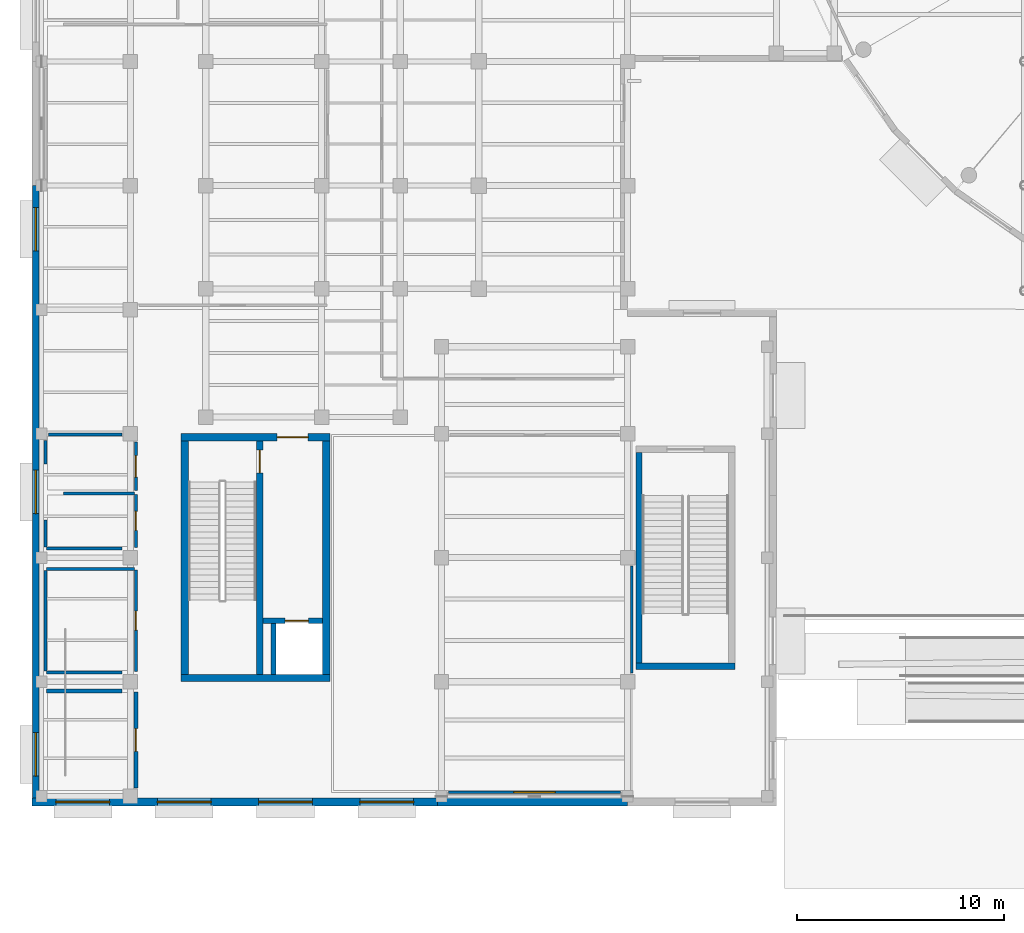
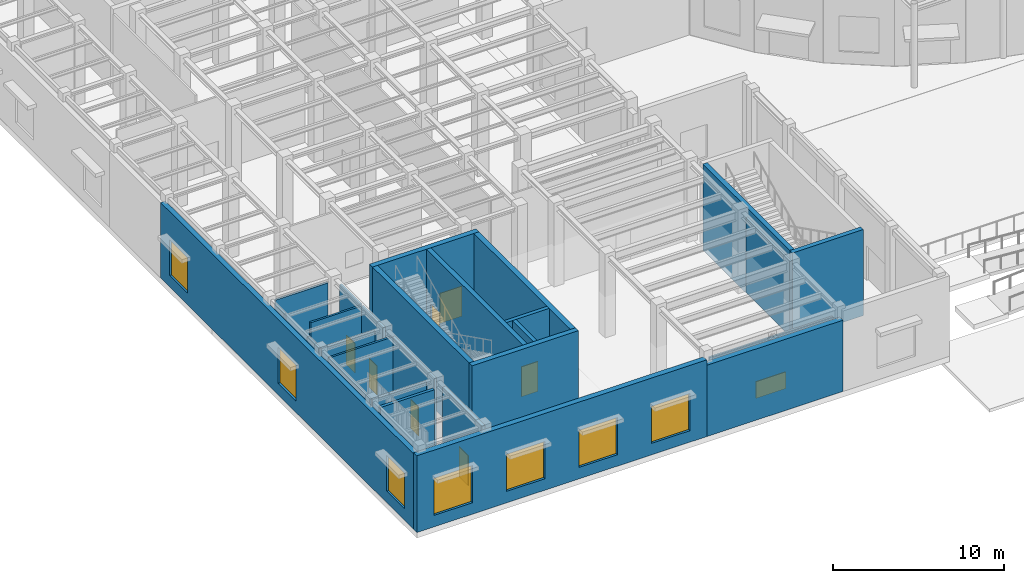
# One storey, part 86 of 118: 27 walls, 8 windows, 7 doors, 15 openings.
"""IFC4 building model written with IfcOpenShell, lengths in metres."""

from ifc_helpers import new_model, si_unit, direction, frame, frame_2d, origin, place, context, subcontext, project, spatial, rectangle, extrude, material, layer, layer_set, type_object, element, fill, save


model = new_model("IFC4")

# Units and contexts
model_context = context("Model", 3, precision=1e-05, world=origin(), true_north=direction((0.0, 1.0)))
body_context = subcontext(model_context, "Body", "Model", "MODEL_VIEW")
ifc_project = project(units=[si_unit("LENGTHUNIT", "METRE"), si_unit("AREAUNIT", "SQUARE_METRE"), si_unit("VOLUMEUNIT", "CUBIC_METRE"), si_unit("PLANEANGLEUNIT", "RADIAN"), si_unit("MASSUNIT", "GRAM", prefix="KILO")], contexts=[model_context])

# Site, building, storey
site_placement = place(None, origin())
site = spatial("IfcSite", under=ifc_project, at=site_placement, CompositionType="ELEMENT")
building_placement = place(site_placement, origin())
building = spatial("IfcBuilding", under=site, at=building_placement, Name="Kolvaren Corner Interchange", CompositionType="ELEMENT")
storey_placement = place(building_placement, origin())
storey = spatial("IfcBuildingStorey", under=building, at=storey_placement, Name="L01", CompositionType="ELEMENT", Elevation=0.0)

# Wall
ifc_material_1 = material(Name="Concrete C35/45", Category="concrete")
ifc_layer_1 = layer(ifc_material_1, 0.35009765625)
ifc_layer_set_1 = layer_set([ifc_layer_1], Name="Concrete C35/45")
wall_type_1 = type_object("IfcWallType", Name="WL-CORE-350", PredefinedType="SHEAR", material=ifc_layer_set_1)
wall_1_placement = place(storey_placement, frame((7.199951171875, 6.175048828125, 0.0), z_axis=(0.0, 0.0, 1.0), x_axis=(1.0, 0.0, 0.0)))
element("IfcWall", 1, at=wall_1_placement, inside=storey, type_object=wall_type_1, Name="Core C1 L01 South Shear Wall", PredefinedType="SHEAR", context=body_context, shape_type="SweptSolid", body=[
    extrude(rectangle(XDim=7.199951171875, YDim=0.35009765625, at=frame_2d((3.60009765625, 0.0))), origin(), (0.0, 0.0, 1.0), 5.75),
])

# Wall, opening, door
wall_2_placement = place(storey_placement, frame((7.199951171875, 17.824951171875, 0.0), z_axis=(0.0, 0.0, 1.0), x_axis=(1.0, 0.0, 0.0)))
wall_2 = element("IfcWall", 2, at=wall_2_placement, inside=storey, type_object=wall_type_1, Name="Core C1 L01 North Shear Wall", PredefinedType="SHEAR", context=body_context, shape_type="SweptSolid", body=[
    extrude(rectangle(XDim=7.199951171875, YDim=0.35009765625, at=frame_2d((3.60009765625, 0.0))), origin(), (0.0, 0.0, 1.0), 5.75),
])
opening_1_placement = place(wall_2_placement, frame((4.64990234375, 0.0, 0.0)))
opening_1 = element("IfcOpeningElement", 3, at=opening_1_placement, cuts=wall_2, Name="Opening D-F02", PredefinedType="OPENING", context=body_context, shape_type="SweptSolid", body=[
    extrude(rectangle(XDim=1.5, YDim=2.14990234375, at=frame_2d((0.75, 1.074951171875))), frame((0.0, 0.18505859375, 0.0), z_axis=(0.0, -1.0, 0.0), x_axis=(1.0, 0.0, 0.0)), (0.0, 0.0, 1.0), 0.3701171875),
])
ifc_material_2 = material(Name="Powder-coated Fire-rated Steel Sheet", Category="steel")
door_type_1 = type_object("IfcDoorType", Name="DT-FD-1500x2150", OperationType="NOTDEFINED", PredefinedType="DOOR", material=ifc_material_2)
door_1_placement = place(opening_1_placement, origin())
door_1 = element("IfcDoor", 4, at=door_1_placement, inside=storey, type_object=door_type_1, Name="Core C1 L01 Firefighting Lobby Corridor Exit Door", OperationType="DOUBLE_DOOR_SINGLE_SWING", OverallHeight=2.14990234375, OverallWidth=1.5, PredefinedType="DOOR", context=body_context, shape_type="SweptSolid", body=[
    extrude(rectangle(XDim=1.5, YDim=2.14990234375, at=frame_2d((0.75, 1.074951171875))), frame((0.0, 0.02490234375, 0.0), z_axis=(0.0, -1.0, 0.0), x_axis=(1.0, 0.0, 0.0)), (0.0, 0.0, 1.0), 0.050048828125),
])
fill(opening_1, door_1)

# Walls
for number, where, z_axis, x_axis, name in (
    (5, (7.375, 6.35009765625, 0.0), (0.0, 0.0, 1.0), (0.0, 1.0, 0.0), "Core C1 L01 West Shear Wall"),
    (6, (14.22509765625, 6.35009765625, 0.0), (0.0, 0.0, 1.0), (0.0, 1.0, 0.0), "Core C1 L01 East Shear Wall"),
):
    element("IfcWall", number, at=place(storey_placement, frame(where, z_axis=z_axis, x_axis=x_axis)), inside=storey, type_object=wall_type_1, Name=name, PredefinedType="SHEAR", context=body_context, shape_type="SweptSolid", body=[
        extrude(rectangle(XDim=11.2998046875, YDim=0.35009765625, at=frame_2d((5.64990234375, 0.0))), origin(), (0.0, 0.0, 1.0), 5.75),
    ])

# Wall, opening, door
ifc_material_3 = material(Name="Concrete C35/45", Category="concrete")
ifc_layer_2 = layer(ifc_material_3, 0.31005859375)
ifc_layer_set_2 = layer_set([ifc_layer_2], Name="Concrete C35/45")
wall_type_2 = type_object("IfcWallType", Name="WL-STAIR-300", PredefinedType="SHEAR", material=ifc_layer_set_2)
wall_3_placement = place(storey_placement, frame((11.0, 6.35009765625, 0.0), z_axis=(0.0, 0.0, 1.0), x_axis=(0.0, 1.0, 0.0)))
wall_3 = element("IfcWall", 7, at=wall_3_placement, inside=storey, type_object=wall_type_2, Name="Core C1 L01 Firefighting Stairwell Divider Wall", PredefinedType="SHEAR", context=body_context, shape_type="SweptSolid", body=[
    extrude(rectangle(XDim=11.2998046875, YDim=0.31005859375, at=frame_2d((5.64990234375, 0.0))), origin(), (0.0, 0.0, 1.0), 5.75),
])
opening_2_placement = place(wall_3_placement, frame((9.75, 0.0, 0.0)))
opening_2 = element("IfcOpeningElement", 8, at=opening_2_placement, cuts=wall_3, Name="Opening D-F03", PredefinedType="OPENING", context=body_context, shape_type="SweptSolid", body=[
    extrude(rectangle(XDim=1.10009765625, YDim=2.14990234375, at=frame_2d((0.550048828125, 1.074951171875))), frame((0.0, 0.1650390625, 0.0), z_axis=(0.0, -1.0, 0.0), x_axis=(1.0, 0.0, 0.0)), (0.0, 0.0, 1.0), 0.330078125),
])
ifc_material_4 = material(Name="Powder-coated Fire-rated Steel Sheet", Category="steel")
door_type_2 = type_object("IfcDoorType", Name="DT-FD-1100x2150", OperationType="NOTDEFINED", PredefinedType="DOOR", material=ifc_material_4)
door_2_placement = place(opening_2_placement, origin())
door_2 = element("IfcDoor", 9, at=door_2_placement, inside=storey, type_object=door_type_2, Name="Core C1 Southwest Firefighting Stair L01 Protected Exit Door", OperationType="SINGLE_SWING_LEFT", OverallHeight=2.14990234375, OverallWidth=1.10009765625, PredefinedType="DOOR", context=body_context, shape_type="SweptSolid", body=[
    extrude(rectangle(XDim=1.10009765625, YDim=2.14990234375, at=frame_2d((0.550048828125, 1.074951171875))), frame((0.0, 0.02490234375, 0.0), z_axis=(0.0, -1.0, 0.0), x_axis=(1.0, 0.0, 0.0)), (0.0, 0.0, 1.0), 0.050048828125),
])
fill(opening_2, door_2)

# Walls
wall_4_placement = place(storey_placement, frame((29.199951171875, 6.7548828125, -0.39990234375), z_axis=(0.0, 0.0, 1.0), x_axis=(1.0, 0.0, 0.0)))
element("IfcWall", 10, at=wall_4_placement, inside=storey, type_object=wall_type_2, Name="Operations South Bar Protected Exit Stair L01 South Enclosure Wall", PredefinedType="SHEAR", context=body_context, shape_type="SweptSolid", body=[
    extrude(rectangle(XDim=4.800048828125, YDim=0.31005859375, at=frame_2d((2.39990234375, 0.0))), origin(), (0.0, 0.0, 1.0), 6.14990234375),
])
wall_5_placement = place(storey_placement, frame((29.35498046875, 6.909912109375, -0.39990234375), z_axis=(0.0, 0.0, 1.0), x_axis=(0.0, 1.0, 0.0)))
element("IfcWall", 11, at=wall_5_placement, inside=storey, type_object=wall_type_2, Name="Operations South Bar Protected Exit Stair L01 West Enclosure Wall", PredefinedType="SHEAR", context=body_context, shape_type="SweptSolid", body=[
    extrude(rectangle(XDim=10.18017578125, YDim=0.31005859375, at=frame_2d((5.090087890625, 0.0))), origin(), (0.0, 0.0, 1.0), 6.14990234375),
])

# Wall, openings, windows
ifc_material_5 = material(Name="Heavy Acoustic Terracotta Masonry Facade Assembly", Category="masonry")
ifc_layer_3 = layer(ifc_material_5, 0.3701171875)
ifc_layer_set_3 = layer_set([ifc_layer_3], Name="Heavy Acoustic Terracotta Masonry Facade Assembly")
wall_type_3 = type_object("IfcWallType", Name="WT-EXT-CRM340", PredefinedType="SOLIDWALL", material=ifc_layer_set_3)
wall_6_placement = place(storey_placement, frame((0.0, 0.179931640625, 0.0), z_axis=(0.0, 0.0, 1.0), x_axis=(1.0, 0.0, 0.0)))
wall_6 = element("IfcWall", 12, at=wall_6_placement, inside=storey, type_object=wall_type_3, Name="Operations Boulevard South Facade Wall 0001", PredefinedType="SOLIDWALL", context=body_context, shape_type="SweptSolid", body=[
    extrude(rectangle(XDim=19.60009765625, YDim=0.3701171875, at=frame_2d((9.800048828125, 0.0))), origin(), (0.0, 0.0, 1.0), 5.485107421875),
])
opening_3_placement = place(wall_6_placement, frame((1.14990234375, 0.0, 0.820068359375)))
opening_3 = element("IfcOpeningElement", 13, at=opening_3_placement, cuts=wall_6, Name="Opening W-12", PredefinedType="OPENING", context=body_context, shape_type="SweptSolid", body=[
    extrude(rectangle(XDim=2.60009765625, YDim=2.64990234375, at=frame_2d((1.300048828125, 1.324951171875))), frame((0.0, 0.195068359375, 0.0), z_axis=(0.0, -1.0, 0.0), x_axis=(1.0, 0.0, 0.0)), (0.0, 0.0, 1.0), 0.39013671875),
])
opening_4_placement = place(wall_6_placement, frame((6.050048828125, 0.0, 0.820068359375)))
opening_4 = element("IfcOpeningElement", 14, at=opening_4_placement, cuts=wall_6, Name="Opening W-12", PredefinedType="OPENING", context=body_context, shape_type="SweptSolid", body=[
    extrude(rectangle(XDim=2.60009765625, YDim=2.64990234375, at=frame_2d((1.300048828125, 1.324951171875))), frame((0.0, 0.195068359375, 0.0), z_axis=(0.0, -1.0, 0.0), x_axis=(1.0, 0.0, 0.0)), (0.0, 0.0, 1.0), 0.39013671875),
])
opening_5_placement = place(wall_6_placement, frame((10.949951171875, 0.0, 0.820068359375)))
opening_5 = element("IfcOpeningElement", 15, at=opening_5_placement, cuts=wall_6, Name="Opening W-12", PredefinedType="OPENING", context=body_context, shape_type="SweptSolid", body=[
    extrude(rectangle(XDim=2.60009765625, YDim=2.64990234375, at=frame_2d((1.300048828125, 1.324951171875))), frame((0.0, 0.195068359375, 0.0), z_axis=(0.0, -1.0, 0.0), x_axis=(1.0, 0.0, 0.0)), (0.0, 0.0, 1.0), 0.39013671875),
])
opening_6_placement = place(wall_6_placement, frame((15.85009765625, 0.0, 0.820068359375)))
opening_6 = element("IfcOpeningElement", 16, at=opening_6_placement, cuts=wall_6, Name="Opening W-12", PredefinedType="OPENING", context=body_context, shape_type="SweptSolid", body=[
    extrude(rectangle(XDim=2.60009765625, YDim=2.64990234375, at=frame_2d((1.300048828125, 1.324951171875))), frame((0.0, 0.195068359375, 0.0), z_axis=(0.0, -1.0, 0.0), x_axis=(1.0, 0.0, 0.0)), (0.0, 0.0, 1.0), 0.39013671875),
])
ifc_material_6 = material(Name="Thermally Broken Aluminium and Solar-Control Double Glazing", Category="aluminium")
window_type_1 = type_object("IfcWindowType", Name="WT-CHI-2600x2700", PartitioningType="TRIPLE_PANEL_HORIZONTAL", PredefinedType="WINDOW", material=ifc_material_6)
window_1_placement = place(opening_3_placement, origin())
window_1 = element("IfcWindow", 17, at=window_1_placement, inside=storey, type_object=window_type_1, Name="L01 Operations Boulevard South Facade Window 0001", OverallHeight=2.64990234375, OverallWidth=2.60009765625, PartitioningType="SINGLE_PANEL", PredefinedType="WINDOW", context=body_context, shape_type="SweptSolid", body=[
    extrude(rectangle(XDim=2.60009765625, YDim=2.64990234375, at=frame_2d((1.300048828125, 1.324951171875))), frame((0.0, 0.030029296875, 0.0), z_axis=(0.0, -1.0, 0.0), x_axis=(1.0, 0.0, 0.0)), (0.0, 0.0, 1.0), 0.06005859375),
])
fill(opening_3, window_1)
window_2_placement = place(opening_4_placement, origin())
window_2 = element("IfcWindow", 18, at=window_2_placement, inside=storey, type_object=window_type_1, Name="L01 Operations Boulevard South Facade Window 0002", OverallHeight=2.64990234375, OverallWidth=2.60009765625, PartitioningType="SINGLE_PANEL", PredefinedType="WINDOW", context=body_context, shape_type="SweptSolid", body=[
    extrude(rectangle(XDim=2.60009765625, YDim=2.64990234375, at=frame_2d((1.300048828125, 1.324951171875))), frame((0.0, 0.030029296875, 0.0), z_axis=(0.0, -1.0, 0.0), x_axis=(1.0, 0.0, 0.0)), (0.0, 0.0, 1.0), 0.06005859375),
])
fill(opening_4, window_2)
window_3_placement = place(opening_5_placement, origin())
window_3 = element("IfcWindow", 19, at=window_3_placement, inside=storey, type_object=window_type_1, Name="L01 Operations Boulevard South Facade Window 0003", OverallHeight=2.64990234375, OverallWidth=2.60009765625, PartitioningType="SINGLE_PANEL", PredefinedType="WINDOW", context=body_context, shape_type="SweptSolid", body=[
    extrude(rectangle(XDim=2.60009765625, YDim=2.64990234375, at=frame_2d((1.300048828125, 1.324951171875))), frame((0.0, 0.030029296875, 0.0), z_axis=(0.0, -1.0, 0.0), x_axis=(1.0, 0.0, 0.0)), (0.0, 0.0, 1.0), 0.06005859375),
])
fill(opening_5, window_3)
window_4_placement = place(opening_6_placement, origin())
window_4 = element("IfcWindow", 20, at=window_4_placement, inside=storey, type_object=window_type_1, Name="L01 Operations Boulevard South Facade Window 0004", OverallHeight=2.64990234375, OverallWidth=2.60009765625, PartitioningType="SINGLE_PANEL", PredefinedType="WINDOW", context=body_context, shape_type="SweptSolid", body=[
    extrude(rectangle(XDim=2.60009765625, YDim=2.64990234375, at=frame_2d((1.300048828125, 1.324951171875))), frame((0.0, 0.030029296875, 0.0), z_axis=(0.0, -1.0, 0.0), x_axis=(1.0, 0.0, 0.0)), (0.0, 0.0, 1.0), 0.06005859375),
])
fill(opening_6, window_4)

# Wall
wall_7_placement = place(storey_placement, frame((19.60009765625, 0.179931640625, 0.0), z_axis=(0.0, 0.0, 1.0), x_axis=(1.0, 0.0, 0.0)))
element("IfcWall", 21, at=wall_7_placement, inside=storey, type_object=wall_type_3, Name="Operations Boulevard South Facade Wall 0002", PredefinedType="SOLIDWALL", context=body_context, shape_type="SweptSolid", body=[
    extrude(rectangle(XDim=9.199951171875, YDim=0.3701171875, at=frame_2d((4.60009765625, 0.0))), origin(), (0.0, 0.0, 1.0), 5.094970703125),
])

# Wall, openings, windows
ifc_material_7 = material(Name="Cream Architectural Terracotta Rainscreen Assembly", Category="masonry")
ifc_layer_4 = layer(ifc_material_7, 0.330078125)
ifc_layer_set_4 = layer_set([ifc_layer_4], Name="Cream Architectural Terracotta Rainscreen Assembly")
wall_type_4 = type_object("IfcWallType", Name="WT-EXT-TC320", PredefinedType="SOLIDWALL", material=ifc_layer_set_4)
wall_8_placement = place(storey_placement, frame((0.169921875, 30.0, 0.0), z_axis=(0.0, 0.0, 1.0), x_axis=(0.0, -1.0, 0.0)))
wall_8 = element("IfcWall", 22, at=wall_8_placement, inside=storey, type_object=wall_type_4, Name="Operations Trelmava Street West Facade Wall 0012", PredefinedType="SOLIDWALL", context=body_context, shape_type="SweptSolid", body=[
    extrude(rectangle(XDim=29.635009765625, YDim=0.330078125, at=frame_2d((14.8173828125, 0.0))), origin(), (0.0, 0.0, 1.0), 5.385009765625),
])
opening_7_placement = place(wall_8_placement, frame((1.06689453125, 0.0, 0.820068359375)))
opening_7 = element("IfcOpeningElement", 23, at=opening_7_placement, cuts=wall_8, Name="Opening W-02", PredefinedType="OPENING", context=body_context, shape_type="SweptSolid", body=[
    extrude(rectangle(XDim=2.10009765625, YDim=2.550048828125, at=frame_2d((1.050048828125, 1.27490234375))), frame((0.0, 0.175048828125, 0.0), z_axis=(0.0, -1.0, 0.0), x_axis=(1.0, 0.0, 0.0)), (0.0, 0.0, 1.0), 0.35009765625),
])
opening_8_placement = place(wall_8_placement, frame((13.767578125, 0.0, 0.820068359375)))
opening_8 = element("IfcOpeningElement", 24, at=opening_8_placement, cuts=wall_8, Name="Opening W-02", PredefinedType="OPENING", context=body_context, shape_type="SweptSolid", body=[
    extrude(rectangle(XDim=2.10009765625, YDim=2.550048828125, at=frame_2d((1.050048828125, 1.27490234375))), frame((0.0, 0.175048828125, 0.0), z_axis=(0.0, -1.0, 0.0), x_axis=(1.0, 0.0, 0.0)), (0.0, 0.0, 1.0), 0.35009765625),
])
opening_9_placement = place(wall_8_placement, frame((26.46826171875, 0.0, 0.820068359375)))
opening_9 = element("IfcOpeningElement", 25, at=opening_9_placement, cuts=wall_8, Name="Opening W-02", PredefinedType="OPENING", context=body_context, shape_type="SweptSolid", body=[
    extrude(rectangle(XDim=2.10009765625, YDim=2.550048828125, at=frame_2d((1.050048828125, 1.27490234375))), frame((0.0, 0.175048828125, 0.0), z_axis=(0.0, -1.0, 0.0), x_axis=(1.0, 0.0, 0.0)), (0.0, 0.0, 1.0), 0.35009765625),
])
ifc_material_8 = material(Name="Thermally Broken Aluminium and Solar-Control Double Glazing", Category="aluminium")
window_type_2 = type_object("IfcWindowType", Name="WT-CHI-2100x2600", PartitioningType="TRIPLE_PANEL_HORIZONTAL", PredefinedType="WINDOW", material=ifc_material_8)
window_5_placement = place(opening_7_placement, origin())
window_5 = element("IfcWindow", 26, at=window_5_placement, inside=storey, type_object=window_type_2, Name="L01 Operations Trelmava Street West Facade Window 0025", OverallHeight=2.550048828125, OverallWidth=2.10009765625, PartitioningType="SINGLE_PANEL", PredefinedType="WINDOW", context=body_context, shape_type="SweptSolid", body=[
    extrude(rectangle(XDim=2.10009765625, YDim=2.550048828125, at=frame_2d((1.050048828125, 1.27490234375))), frame((0.0, 0.030029296875, 0.0), z_axis=(0.0, -1.0, 0.0), x_axis=(1.0, 0.0, 0.0)), (0.0, 0.0, 1.0), 0.06005859375),
])
fill(opening_7, window_5)
window_6_placement = place(opening_8_placement, origin())
window_6 = element("IfcWindow", 27, at=window_6_placement, inside=storey, type_object=window_type_2, Name="L01 Operations Trelmava Street West Facade Window 0026", OverallHeight=2.550048828125, OverallWidth=2.10009765625, PartitioningType="SINGLE_PANEL", PredefinedType="WINDOW", context=body_context, shape_type="SweptSolid", body=[
    extrude(rectangle(XDim=2.10009765625, YDim=2.550048828125, at=frame_2d((1.050048828125, 1.27490234375))), frame((0.0, 0.030029296875, 0.0), z_axis=(0.0, -1.0, 0.0), x_axis=(1.0, 0.0, 0.0)), (0.0, 0.0, 1.0), 0.06005859375),
])
fill(opening_8, window_6)
window_7_placement = place(opening_9_placement, origin())
window_7 = element("IfcWindow", 28, at=window_7_placement, inside=storey, type_object=window_type_2, Name="L01 Operations Trelmava Street West Facade Window 0027", OverallHeight=2.550048828125, OverallWidth=2.10009765625, PartitioningType="SINGLE_PANEL", PredefinedType="WINDOW", context=body_context, shape_type="SweptSolid", body=[
    extrude(rectangle(XDim=2.10009765625, YDim=2.550048828125, at=frame_2d((1.050048828125, 1.27490234375))), frame((0.0, 0.030029296875, 0.0), z_axis=(0.0, -1.0, 0.0), x_axis=(1.0, 0.0, 0.0)), (0.0, 0.0, 1.0), 0.06005859375),
])
fill(opening_9, window_7)

# Wall, opening, door
ifc_material_9 = material(Name="Fire-Rated Gypsum Block Partition")
ifc_layer_5 = layer(ifc_material_9, 0.199951171875)
ifc_layer_set_5 = layer_set([ifc_layer_5], Name="Fire-Rated Gypsum Block Partition")
wall_type_5 = type_object("IfcWallType", Name="WT-PART-FR200", PredefinedType="PARTITIONING", material=ifc_layer_set_5)
wall_9_placement = place(storey_placement, frame((5.02001953125, 0.860107421875, 0.0), z_axis=(0.0, 0.0, 1.0), x_axis=(0.0, 1.0, 0.0)))
wall_9 = element("IfcWall", 29, at=wall_9_placement, inside=storey, type_object=wall_type_5, Name="L01 Fire Command Centre Partition Wall 069", PredefinedType="PARTITIONING", context=body_context, shape_type="SweptSolid", body=[
    extrude(rectangle(XDim=4.639892578125, YDim=0.199951171875, at=frame_2d((2.31982421875, 0.0))), origin(), (0.0, 0.0, 1.0), 5.344970703125),
])
opening_10_placement = place(wall_9_placement, frame((1.77001953125, 0.0, 0.0)))
opening_10 = element("IfcOpeningElement", 30, at=opening_10_placement, cuts=wall_9, Name="Opening D-F03", PredefinedType="OPENING", context=body_context, shape_type="SweptSolid", body=[
    extrude(rectangle(XDim=1.10009765625, YDim=2.14990234375, at=frame_2d((0.550048828125, 1.074951171875))), frame((0.0, 0.10986328125, 0.0), z_axis=(0.0, -1.0, 0.0), x_axis=(1.0, 0.0, 0.0)), (0.0, 0.0, 1.0), 0.219970703125),
])
door_3_placement = place(opening_10_placement, origin())
door_3 = element("IfcDoor", 31, at=door_3_placement, inside=storey, type_object=door_type_2, Name="L01 Fire Command Centre Door", OperationType="SINGLE_SWING_RIGHT", OverallHeight=2.14990234375, OverallWidth=1.10009765625, PredefinedType="DOOR", context=body_context, shape_type="SweptSolid", body=[
    extrude(rectangle(XDim=1.10009765625, YDim=2.14990234375, at=frame_2d((0.550048828125, 1.074951171875))), frame((0.0, 0.02490234375, 0.0), z_axis=(0.0, -1.0, 0.0), x_axis=(1.0, 0.0, 0.0)), (0.0, 0.0, 1.0), 0.050048828125),
])
fill(opening_10, door_3)

# Wall
wall_10_placement = place(storey_placement, frame((4.340087890625, 5.550048828125, 0.0), z_axis=(0.0, 0.0, 1.0), x_axis=(-1.0, 0.0, 0.0)))
element("IfcWall", 32, at=wall_10_placement, inside=storey, type_object=wall_type_5, Name="L01 Fire Command Centre Partition Wall 070", PredefinedType="PARTITIONING", context=body_context, shape_type="SweptSolid", body=[
    extrude(rectangle(XDim=3.64013671875, YDim=0.199951171875, at=frame_2d((1.820068359375, 0.0))), origin(), (0.0, 0.0, 1.0), 5.385009765625),
])

# Wall, opening, window
ifc_material_10 = material(Name="Standard Metal-Stud Drywall Partition")
ifc_layer_6 = layer(ifc_material_10, 0.1201171875)
ifc_layer_set_6 = layer_set([ifc_layer_6], Name="Standard Metal-Stud Drywall Partition")
wall_type_6 = type_object("IfcWallType", Name="WT-PART-ST125", PredefinedType="PARTITIONING", material=ifc_layer_set_6)
wall_11_placement = place(storey_placement, frame((20.135009765625, 0.64990234375, 0.0), z_axis=(0.0, 0.0, 1.0), x_axis=(1.0, 0.0, 0.0)))
wall_11 = element("IfcWall", 33, at=wall_11_placement, inside=storey, type_object=wall_type_6, Name="L01 Passenger Service Centre Partition Wall 050", PredefinedType="PARTITIONING", context=body_context, shape_type="SweptSolid", body=[
    extrude(rectangle(XDim=8.330078125, YDim=0.1201171875, at=frame_2d((4.1650390625, 0.0))), origin(), (0.0, 0.0, 1.0), 5.094970703125),
])
opening_11_placement = place(wall_11_placement, frame((3.1650390625, 0.0, 1.050048828125)))
opening_11 = element("IfcOpeningElement", 34, at=opening_11_placement, cuts=wall_11, Name="Opening W-I01", PredefinedType="OPENING", context=body_context, shape_type="SweptSolid", body=[
    extrude(rectangle(XDim=2.0, YDim=1.199951171875, at=frame_2d((1.0, 0.60009765625))), frame((0.0, 0.070068359375, 0.0), z_axis=(0.0, -1.0, 0.0), x_axis=(1.0, 0.0, 0.0)), (0.0, 0.0, 1.0), 0.14013671875),
])
ifc_material_11 = material(Name="Acoustic Laminated Interior Vision Glazing", Category="glass")
window_type_3 = type_object("IfcWindowType", Name="WT-INT-2000x1200", PartitioningType="DOUBLE_PANEL_HORIZONTAL", PredefinedType="WINDOW", material=ifc_material_11)
window_8_placement = place(opening_11_placement, origin())
window_8 = element("IfcWindow", 35, at=window_8_placement, inside=storey, type_object=window_type_3, Name="L01 Interior Vision Glazing 21", OverallHeight=1.199951171875, OverallWidth=2.0, PartitioningType="SINGLE_PANEL", PredefinedType="WINDOW", context=body_context, shape_type="SweptSolid", body=[
    extrude(rectangle(XDim=2.0, YDim=1.199951171875, at=frame_2d((1.0, 0.60009765625))), frame((0.0, 0.030029296875, 0.0), z_axis=(0.0, -1.0, 0.0), x_axis=(1.0, 0.0, 0.0)), (0.0, 0.0, 1.0), 0.06005859375),
])
fill(opening_11, window_8)

# Walls
wall_12_placement = place(storey_placement, frame((29.0, 6.409912109375, 0.0), z_axis=(0.0, 0.0, 1.0), x_axis=(0.0, 1.0, 0.0)))
element("IfcWall", 36, at=wall_12_placement, inside=storey, type_object=wall_type_6, Name="L01 Passenger Service Centre Partition Wall 051", PredefinedType="PARTITIONING", context=body_context, shape_type="SweptSolid", body=[
    extrude(rectangle(XDim=5.18017578125, YDim=0.1201171875, at=frame_2d((2.590087890625, 0.0))), origin(), (0.0, 0.0, 1.0), 5.344970703125),
])
ifc_material_12 = material(Name="Moisture-Resistant Ceramic Tile Partition")
ifc_layer_7 = layer(ifc_material_12, 0.139892578125)
ifc_layer_set_7 = layer_set([ifc_layer_7], Name="Moisture-Resistant Ceramic Tile Partition")
wall_type_7 = type_object("IfcWallType", Name="WT-PART-WC140", PredefinedType="PARTITIONING", material=ifc_layer_set_7)
wall_13_placement = place(storey_placement, frame((0.699951171875, 6.449951171875, 0.0), z_axis=(0.0, 0.0, 1.0), x_axis=(1.0, 0.0, 0.0)))
element("IfcWall", 37, at=wall_13_placement, inside=storey, type_object=wall_type_7, Name="L01 Male WC Partition Wall 071", PredefinedType="PARTITIONING", context=body_context, shape_type="SweptSolid", body=[
    extrude(rectangle(XDim=3.64013671875, YDim=0.139892578125, at=frame_2d((1.820068359375, 0.0))), origin(), (0.0, 0.0, 1.0), 5.385009765625),
])

# Wall, opening, door
wall_14_placement = place(storey_placement, frame((5.02001953125, 6.5, 0.0), z_axis=(0.0, 0.0, 1.0), x_axis=(0.0, 1.0, 0.0)))
wall_14 = element("IfcWall", 38, at=wall_14_placement, inside=storey, type_object=wall_type_7, Name="L01 Male WC Partition Wall 072", PredefinedType="PARTITIONING", context=body_context, shape_type="SweptSolid", body=[
    extrude(rectangle(XDim=4.89990234375, YDim=0.139892578125, at=frame_2d((2.449951171875, 0.0))), origin(), (0.0, 0.0, 1.0), 5.344970703125),
])
opening_12_placement = place(wall_14_placement, frame((1.989990234375, 0.0, 0.0)))
opening_12 = element("IfcOpeningElement", 39, at=opening_12_placement, cuts=wall_14, Name="Opening D-I04", PredefinedType="OPENING", context=body_context, shape_type="SweptSolid", body=[
    extrude(rectangle(XDim=0.919921875, YDim=2.080078125, at=frame_2d((0.4599609375, 1.0400390625))), frame((0.0, 0.079833984375, 0.0), z_axis=(0.0, -1.0, 0.0), x_axis=(1.0, 0.0, 0.0)), (0.0, 0.0, 1.0), 0.159912109375),
])
ifc_material_13 = material(Name="Moisture-Resistant Laminate Timber Door", Category="wood")
door_type_3 = type_object("IfcDoorType", Name="DT-WC-920x2100", OperationType="NOTDEFINED", PredefinedType="DOOR", material=ifc_material_13)
door_4_placement = place(opening_12_placement, origin())
door_4 = element("IfcDoor", 40, at=door_4_placement, inside=storey, type_object=door_type_3, Name="L01 Male WC Door", OperationType="SINGLE_SWING_LEFT", OverallHeight=2.080078125, OverallWidth=0.919921875, PredefinedType="DOOR", context=body_context, shape_type="SweptSolid", body=[
    extrude(rectangle(XDim=0.919921875, YDim=2.080078125, at=frame_2d((0.4599609375, 1.0400390625))), frame((0.0, 0.02490234375, 0.0), z_axis=(0.0, -1.0, 0.0), x_axis=(1.0, 0.0, 0.0)), (0.0, 0.0, 1.0), 0.050048828125),
])
fill(opening_12, door_4)

# Walls
wall_15_placement = place(storey_placement, frame((4.947998046875, 11.449951171875, 0.0), z_axis=(0.0, 0.0, 1.0), x_axis=(-1.0, 0.0, 0.0)))
element("IfcWall", 41, at=wall_15_placement, inside=storey, type_object=wall_type_7, Name="L01 Male WC Partition Wall 073", PredefinedType="PARTITIONING", context=body_context, shape_type="SweptSolid", body=[
    extrude(rectangle(XDim=4.248046875, YDim=0.139892578125, at=frame_2d((2.1240234375, 0.0))), origin(), (0.0, 0.0, 1.0), 5.344970703125),
])
wall_16_placement = place(storey_placement, frame((0.64990234375, 11.3779296875, 0.0), z_axis=(0.0, 0.0, 1.0), x_axis=(0.0, -1.0, 0.0)))
element("IfcWall", 42, at=wall_16_placement, inside=storey, type_object=wall_type_7, Name="L01 Male WC Partition Wall 074", PredefinedType="PARTITIONING", context=body_context, shape_type="SweptSolid", body=[
    extrude(rectangle(XDim=4.85595703125, YDim=0.139892578125, at=frame_2d((2.427978515625, 0.0))), origin(), (0.0, 0.0, 1.0), 5.385009765625),
])
wall_17_placement = place(storey_placement, frame((0.699951171875, 12.449951171875, 0.0), z_axis=(0.0, 0.0, 1.0), x_axis=(1.0, 0.0, 0.0)))
element("IfcWall", 43, at=wall_17_placement, inside=storey, type_object=wall_type_7, Name="L01 Female WC Partition Wall 075", PredefinedType="PARTITIONING", context=body_context, shape_type="SweptSolid", body=[
    extrude(rectangle(XDim=3.64013671875, YDim=0.139892578125, at=frame_2d((1.820068359375, 0.0))), origin(), (0.0, 0.0, 1.0), 5.385009765625),
])

# Wall, opening, door
wall_18_placement = place(storey_placement, frame((5.02001953125, 12.5, 0.0), z_axis=(0.0, 0.0, 1.0), x_axis=(0.0, 1.0, 0.0)))
wall_18 = element("IfcWall", 44, at=wall_18_placement, inside=storey, type_object=wall_type_7, Name="L01 Female WC Partition Wall 076", PredefinedType="PARTITIONING", context=body_context, shape_type="SweptSolid", body=[
    extrude(rectangle(XDim=2.550048828125, YDim=0.139892578125, at=frame_2d((1.27490234375, 0.0))), origin(), (0.0, 0.0, 1.0), 5.344970703125),
])
opening_13_placement = place(wall_18_placement, frame((0.81494140625, 0.0, 0.0)))
opening_13 = element("IfcOpeningElement", 45, at=opening_13_placement, cuts=wall_18, Name="Opening D-I04", PredefinedType="OPENING", context=body_context, shape_type="SweptSolid", body=[
    extrude(rectangle(XDim=0.919921875, YDim=2.080078125, at=frame_2d((0.4599609375, 1.0400390625))), frame((0.0, 0.079833984375, 0.0), z_axis=(0.0, -1.0, 0.0), x_axis=(1.0, 0.0, 0.0)), (0.0, 0.0, 1.0), 0.159912109375),
])
door_5_placement = place(opening_13_placement, origin())
door_5 = element("IfcDoor", 46, at=door_5_placement, inside=storey, type_object=door_type_3, Name="L01 Female WC Door", OperationType="SINGLE_SWING_RIGHT", OverallHeight=2.080078125, OverallWidth=0.919921875, PredefinedType="DOOR", context=body_context, shape_type="SweptSolid", body=[
    extrude(rectangle(XDim=0.919921875, YDim=2.080078125, at=frame_2d((0.4599609375, 1.0400390625))), frame((0.0, 0.02490234375, 0.0), z_axis=(0.0, -1.0, 0.0), x_axis=(1.0, 0.0, 0.0)), (0.0, 0.0, 1.0), 0.050048828125),
])
fill(opening_13, door_5)

# Walls
wall_19_placement = place(storey_placement, frame((4.947998046875, 15.10009765625, 0.0), z_axis=(0.0, 0.0, 1.0), x_axis=(-1.0, 0.0, 0.0)))
element("IfcWall", 47, at=wall_19_placement, inside=storey, type_object=wall_type_7, Name="L01 Female WC Partition Wall 077", PredefinedType="PARTITIONING", context=body_context, shape_type="SweptSolid", body=[
    extrude(rectangle(XDim=3.427978515625, YDim=0.139892578125, at=frame_2d((1.7138671875, 0.0))), origin(), (0.0, 0.0, 1.0), 5.344970703125),
])
wall_20_placement = place(storey_placement, frame((0.64990234375, 13.83251953125, 0.0), z_axis=(0.0, 0.0, 1.0), x_axis=(0.0, -1.0, 0.0)))
element("IfcWall", 48, at=wall_20_placement, inside=storey, type_object=wall_type_7, Name="L01 Female WC Partition Wall 078", PredefinedType="PARTITIONING", context=body_context, shape_type="SweptSolid", body=[
    extrude(rectangle(XDim=1.310546875, YDim=0.139892578125, at=frame_2d((0.6552734375, 0.0))), origin(), (0.0, 0.0, 1.0), 5.385009765625),
])

# Wall, opening, door
wall_21_placement = place(storey_placement, frame((5.02001953125, 15.25, 0.0), z_axis=(0.0, 0.0, 1.0), x_axis=(0.0, 1.0, 0.0)))
wall_21 = element("IfcWall", 49, at=wall_21_placement, inside=storey, type_object=wall_type_7, Name="L01 Accessible WC Partition Wall 079", PredefinedType="PARTITIONING", context=body_context, shape_type="SweptSolid", body=[
    extrude(rectangle(XDim=2.340087890625, YDim=0.139892578125, at=frame_2d((1.169921875, 0.0))), origin(), (0.0, 0.0, 1.0), 5.344970703125),
])
opening_14_placement = place(wall_21_placement, frame((0.64990234375, 0.0, 0.0)))
opening_14 = element("IfcOpeningElement", 50, at=opening_14_placement, cuts=wall_21, Name="Opening D-I05", PredefinedType="OPENING", context=body_context, shape_type="SweptSolid", body=[
    extrude(rectangle(XDim=1.0400390625, YDim=2.10009765625, at=frame_2d((0.52001953125, 1.050048828125))), frame((0.0, 0.079833984375, 0.0), z_axis=(0.0, -1.0, 0.0), x_axis=(1.0, 0.0, 0.0)), (0.0, 0.0, 1.0), 0.159912109375),
])
ifc_material_14 = material(Name="Accessible Outward-Opening Timber Door", Category="wood")
door_type_4 = type_object("IfcDoorType", Name="DT-AWC-1040x2100", OperationType="NOTDEFINED", PredefinedType="DOOR", material=ifc_material_14)
door_6_placement = place(opening_14_placement, origin())
door_6 = element("IfcDoor", 51, at=door_6_placement, inside=storey, type_object=door_type_4, Name="L01 Accessible WC Door", OperationType="SINGLE_SWING_LEFT", OverallHeight=2.10009765625, OverallWidth=1.0400390625, PredefinedType="DOOR", context=body_context, shape_type="SweptSolid", body=[
    extrude(rectangle(XDim=1.0400390625, YDim=2.10009765625, at=frame_2d((0.52001953125, 1.050048828125))), frame((0.0, 0.02490234375, 0.0), z_axis=(0.0, -1.0, 0.0), x_axis=(1.0, 0.0, 0.0)), (0.0, 0.0, 1.0), 0.050048828125),
])
fill(opening_14, door_6)

# Walls
wall_22_placement = place(storey_placement, frame((4.340087890625, 17.949951171875, 0.0), z_axis=(0.0, 0.0, 1.0), x_axis=(-1.0, 0.0, 0.0)))
element("IfcWall", 52, at=wall_22_placement, inside=storey, type_object=wall_type_7, Name="L01 Accessible WC Partition Wall 080", PredefinedType="PARTITIONING", context=body_context, shape_type="SweptSolid", body=[
    extrude(rectangle(XDim=3.55517578125, YDim=0.139892578125, at=frame_2d((1.777587890625, 0.0))), origin(), (0.0, 0.0, 1.0), 5.485107421875),
])
wall_23_placement = place(storey_placement, frame((0.64990234375, 17.6650390625, 0.0), z_axis=(0.0, 0.0, 1.0), x_axis=(0.0, -1.0, 0.0)))
element("IfcWall", 53, at=wall_23_placement, inside=storey, type_object=wall_type_7, Name="L01 Accessible WC Partition Wall 081", PredefinedType="PARTITIONING", context=body_context, shape_type="SweptSolid", body=[
    extrude(rectangle(XDim=1.132568359375, YDim=0.139892578125, at=frame_2d((0.56640625, 0.0))), origin(), (0.0, 0.0, 1.0), 5.385009765625),
])

# Wall, opening, door
ifc_material_15 = material(Name="Concrete C35/45", Category="concrete")
ifc_layer_8 = layer(ifc_material_15, 0.25)
ifc_layer_set_8 = layer_set([ifc_layer_8], Name="Concrete C35/45")
wall_type_8 = type_object("IfcWallType", Name="WT-SHAFT-RC250", PredefinedType="SHEAR", material=ifc_layer_set_8)
wall_24_placement = place(storey_placement, frame((11.155029296875, 8.949951171875, 0.0), z_axis=(0.0, 0.0, 1.0), x_axis=(1.0, 0.0, 0.0)))
wall_24 = element("IfcWall", 54, at=wall_24_placement, inside=storey, type_object=wall_type_8, Name="Core C1 L01 Firefighting Lift Front Shaft Wall", PredefinedType="SHEAR", context=body_context, shape_type="SweptSolid", body=[
    extrude(rectangle(XDim=2.89501953125, YDim=0.25, at=frame_2d((1.447509765625, 0.0))), origin(), (0.0, 0.0, 1.0), 5.75),
])
opening_15_placement = place(wall_24_placement, frame((1.0849609375, 0.0, 0.0)))
opening_15 = element("IfcOpeningElement", 55, at=opening_15_placement, cuts=wall_24, Name="Opening LD-LF-FF1-L01", PredefinedType="OPENING", context=body_context, shape_type="SweptSolid", body=[
    extrude(rectangle(XDim=1.1201171875, YDim=2.14990234375, at=frame_2d((0.56005859375, 1.074951171875))), frame((0.0, 0.135009765625, 0.0), z_axis=(0.0, -1.0, 0.0), x_axis=(1.0, 0.0, 0.0)), (0.0, 0.0, 1.0), 0.27001953125),
])
ifc_material_16 = material(Name="Brushed Stainless Steel Landing Door", Category="steel")
door_type_5 = type_object("IfcDoorType", Name="DT-LIFT-1120", OperationType="NOTDEFINED", PredefinedType="DOOR", material=ifc_material_16)
door_7_placement = place(opening_15_placement, origin())
door_7 = element("IfcDoor", 56, at=door_7_placement, inside=storey, type_object=door_type_5, Name="Firefighting Lift LF-FF1 L01 Sliding Landing Door", OperationType="SLIDING_TO_LEFT", OverallHeight=2.14990234375, OverallWidth=1.1201171875, PredefinedType="DOOR", context=body_context, shape_type="SweptSolid", body=[
    extrude(rectangle(XDim=1.1201171875, YDim=2.14990234375, at=frame_2d((0.56005859375, 1.074951171875))), frame((0.0, 0.02490234375, 0.0), z_axis=(0.0, -1.0, 0.0), x_axis=(1.0, 0.0, 0.0)), (0.0, 0.0, 1.0), 0.050048828125),
])
fill(opening_15, door_7)

# Wall
wall_25_placement = place(storey_placement, frame((11.675048828125, 6.35009765625, 0.0), z_axis=(0.0, 0.0, 1.0), x_axis=(0.0, 1.0, 0.0)))
element("IfcWall", 57, at=wall_25_placement, inside=storey, type_object=wall_type_8, Name="Core C1 L01 Firefighting Lift Side Shaft Wall", PredefinedType="SHEAR", context=body_context, shape_type="SweptSolid", body=[
    extrude(rectangle(XDim=2.474853515625, YDim=0.25, at=frame_2d((1.2373046875, 0.0))), origin(), (0.0, 0.0, 1.0), 5.75),
])

save(model, "model.ifc")
